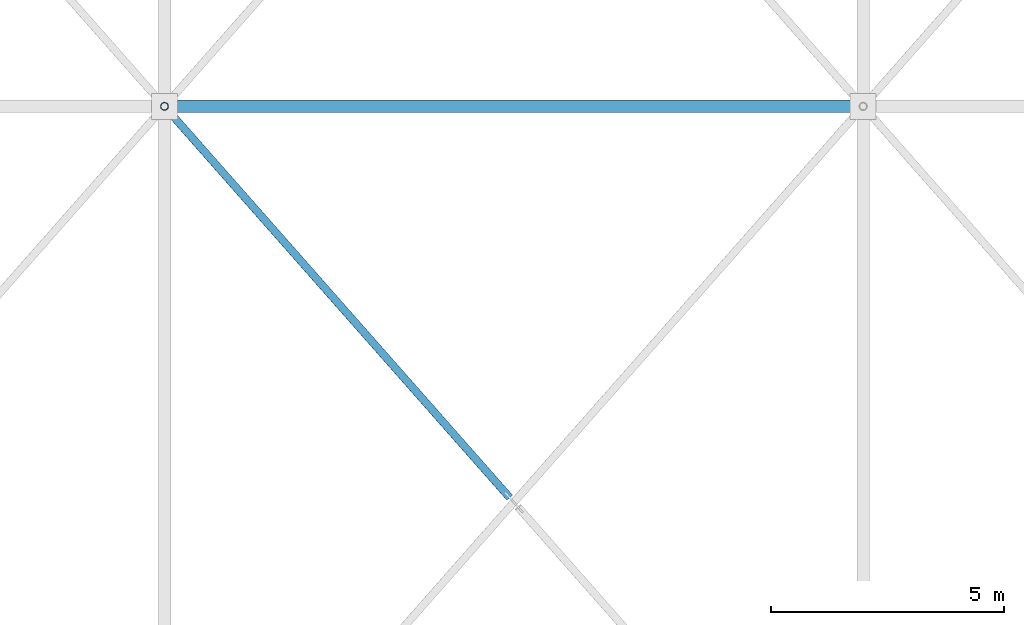
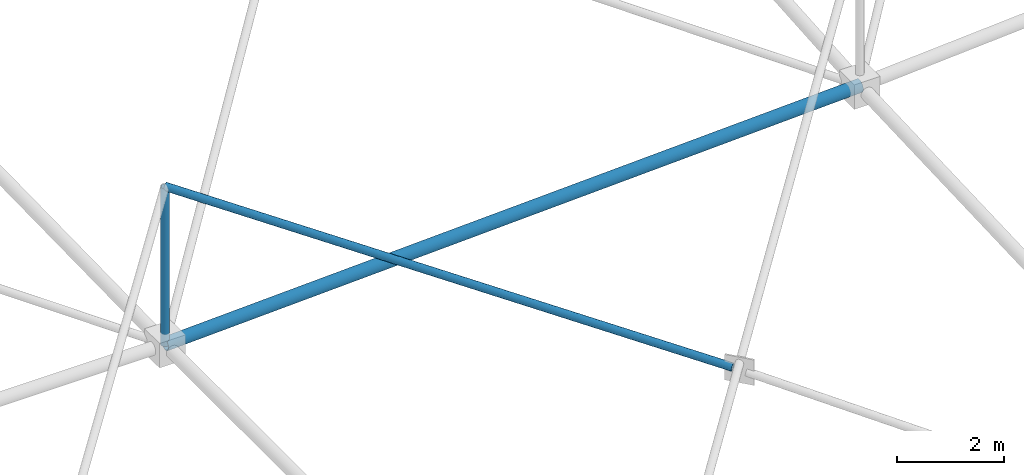
# One storey, part 107 of 224: 3 members.
"""IFC4 building model written with IfcOpenShell, lengths in metres."""

from ifc_helpers import new_model, si_unit, direction, frame, origin, origin_2d, place, context, subcontext, project, spatial, hollow_circle, extrude, material, material_profile, profile_set, type_object, element, save


model = new_model("IFC4")

# Units and contexts
model_context = context("Model", 3, precision=1e-05, world=origin(), true_north=direction((0.0, 1.0)))
body_context = subcontext(model_context, "Body", "Model", "MODEL_VIEW")
ifc_project = project(units=[si_unit("LENGTHUNIT", "METRE"), si_unit("AREAUNIT", "SQUARE_METRE"), si_unit("VOLUMEUNIT", "CUBIC_METRE"), si_unit("PLANEANGLEUNIT", "RADIAN"), si_unit("MASSUNIT", "GRAM", prefix="KILO")], contexts=[model_context])

# Site, building, storey
site_placement = place(None, origin())
site = spatial("IfcSite", under=ifc_project, at=site_placement, CompositionType="ELEMENT")
building_placement = place(site_placement, origin())
building = spatial("IfcBuilding", under=site, at=building_placement, Name="Qamarlyn Nura Convention Centre", CompositionType="ELEMENT")
storey_placement = place(building_placement, frame((0.0, 0.0, 10.800048828125)))
storey = spatial("IfcBuildingStorey", under=building, at=storey_placement, Name="L02", CompositionType="ELEMENT", Elevation=10.800048828125)

# Members
ifc_material = material(Name="Pearl-white PVDF steel ASTM A500 Grade C", Category="steel")
ifc_material_profile_1 = material_profile(ifc_material, hollow_circle(Radius=0.136474609375, WallThickness=0.012451171875, at=origin_2d()), Name="CHS273X12.5")
ifc_profile_set_1 = profile_set([ifc_material_profile_1], Name="Pearl-white PVDF steel ASTM A500 Grade C")
member_type_1 = type_object("IfcMemberType", Name="SF-BC-MAIN", PredefinedType="CHORD", material=ifc_profile_set_1)
member_1_placement = place(storey_placement, frame((90.0, 86.0, 0.828857421875), z_axis=(0.999057783726, 0.0, 0.043399824622), x_axis=(0.0, 1.0, 0.0)))
element("IfcMember", 1, at=member_1_placement, inside=storey, type_object=member_type_1, Name="ROOF TRUSS space frame bottom chord X8-6", PredefinedType="CHORD", context=body_context, shape_type="SweptSolid", body=[
    extrude(hollow_circle(Radius=0.136474609375, WallThickness=0.012451171875, at=origin_2d()), origin(), (0.0, 0.0, 1.0), 15.01416015625),
])
ifc_material_profile_2 = material_profile(ifc_material, hollow_circle(Radius=0.084228515625, WallThickness=0.008056640625, at=origin_2d()), Name="CHS168.3X8")
ifc_profile_set_2 = profile_set([ifc_material_profile_2], Name="Pearl-white PVDF steel ASTM A500 Grade C")
member_type_2 = type_object("IfcMemberType", Name="SF-WEB-STD", PredefinedType="BRACE", material=ifc_profile_set_2)
member_2_placement = place(storey_placement, frame((97.408447265625, 77.603759765625, 2.7998046875), z_axis=(-0.654728163769, 0.742025252271, 0.143977625204), x_axis=(-0.749837855365, -0.661621637087, 0.0)))
element("IfcMember", 2, at=member_2_placement, inside=storey, type_object=member_type_2, Name="ROOF TRUSS space frame split diagonal B2 8-5", PredefinedType="BRACE", context=body_context, shape_type="SweptSolid", body=[
    extrude(hollow_circle(Radius=0.084228515625, WallThickness=0.008056640625, at=origin_2d()), origin(), (0.0, 0.0, 1.0), 11.315185546875),
])
member_3_placement = place(storey_placement, frame((90.0, 86.0, 0.828857421875), z_axis=(0.0, 0.0, 1.0), x_axis=(1.0, 0.0, 0.0)))
element("IfcMember", 3, at=member_3_placement, inside=storey, type_object=member_type_2, Name="ROOF TRUSS space frame vertical 8-6", PredefinedType="BRACE", context=body_context, shape_type="SweptSolid", body=[
    extrude(hollow_circle(Radius=0.084228515625, WallThickness=0.008056640625, at=origin_2d()), origin(), (0.0, 0.0, 1.0), 3.60009765625),
])

save(model, "model.ifc")
